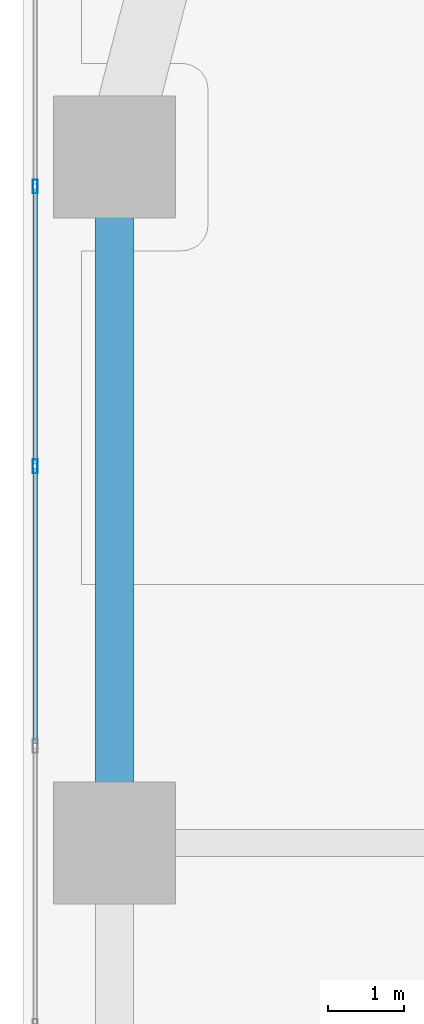
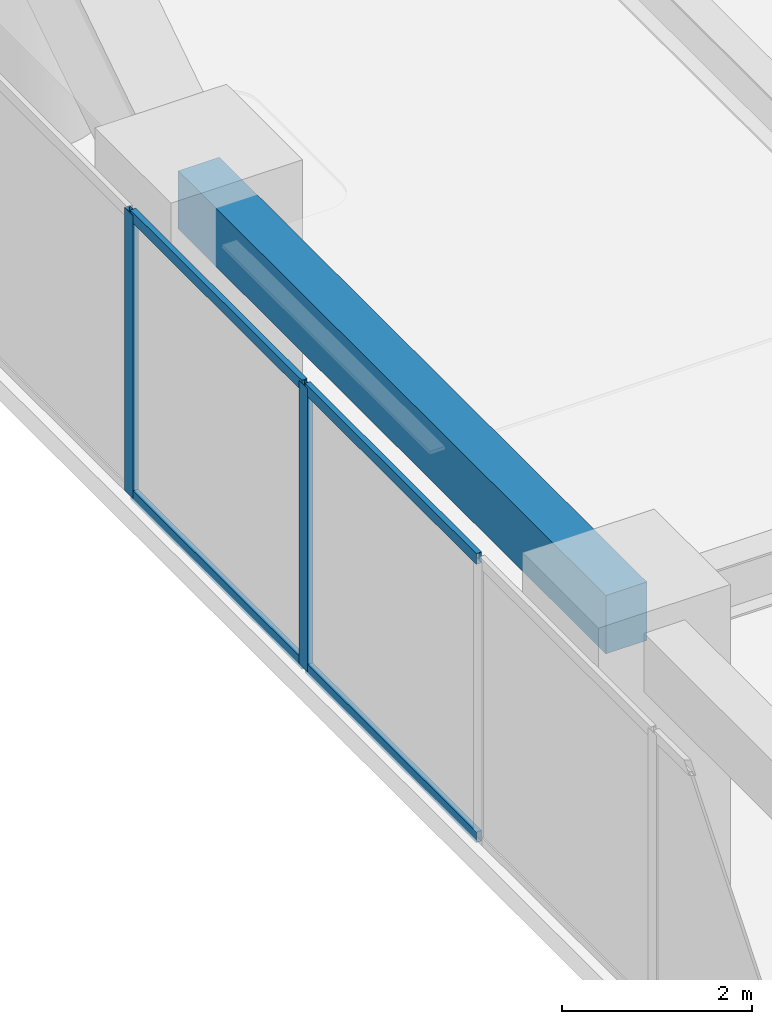
# One storey, part 12 of 28: 6 members, 1 beam, 1 element without a shape of its own.
"""IFC4 building model written with IfcOpenShell, lengths in metres."""

import ifcopenshell
import ifcopenshell.guid

model = None  # the IFC model being written
_history = None  # IfcOwnerHistory: only IFC2X3 demands one
_inside = {}  # id of a spatial element -> (the spatial element, [elements in it])
_under = {}  # id of a project, library or spatial element -> (it, [spatial elements below it])
_declared = {}  # id of a project -> (the project, [libraries it declares])
_typed = {}  # id of a type object -> (the type object, [elements of that type])
_made_of = {}  # id of a material, layer set ... -> (it, [elements and type objects made of it])


def new_model(schema):
    """Start an empty IFC model of exactly this schema.

    Asked for "IFC4X3", IfcOpenShell would pick the latest addendum, in which some entities
    have other attributes; the version numbers below select the first issue.
    IFC2X3 requires an IfcOwnerHistory on every rooted entity: one is made here for all.
    """
    global model, _history
    if schema == "IFC4X3":
        model = ifcopenshell.file(schema_version=(4, 3, 0, 0))
    else:
        model = ifcopenshell.file(schema=schema)
    _inside.clear()
    _under.clear()
    _declared.clear()
    _typed.clear()
    _made_of.clear()
    _history = None
    if model.schema == "IFC2X3":
        org = make("IfcOrganization", Name="unknown")
        user = make(
            "IfcPersonAndOrganization",
            ThePerson=make("IfcPerson", FamilyName="unknown"),
            TheOrganization=org,
        )
        app = make(
            "IfcApplication",
            ApplicationDeveloper=org,
            Version="unknown",
            ApplicationFullName="unknown",
            ApplicationIdentifier="unknown",
        )
        _history = make(
            "IfcOwnerHistory",
            OwningUser=user,
            OwningApplication=app,
            ChangeAction="ADDED",
            CreationDate=0,
        )
    return model


def make(cls, **values):
    """One entity of the class cls with the attributes given. An attribute that is None is left unset."""
    return model.create_entity(
        cls, **{name: value for name, value in values.items() if value is not None}
    )


def rooted(cls, **values):
    """An entity with a GlobalId (a new one), such as an element, a storey or a relation."""
    return make(cls, GlobalId=ifcopenshell.guid.new(), OwnerHistory=_history, **values)


def si_unit(unit_type, name, prefix=None):
    """IfcSIUnit, for example si_unit("LENGTHUNIT", "METRE", prefix="MILLI")."""
    return make("IfcSIUnit", UnitType=unit_type, Prefix=prefix, Name=name)


def assignment(units):
    """IfcUnitAssignment: the units of a project."""
    return None if units is None else make("IfcUnitAssignment", Units=units)


def point(xyz):
    """IfcCartesianPoint."""
    return None if xyz is None else make("IfcCartesianPoint", Coordinates=xyz)


def direction(xyz):
    """IfcDirection."""
    return None if xyz is None else make("IfcDirection", DirectionRatios=xyz)


def frame(location, z_axis=None, x_axis=None):
    """IfcAxis2Placement3D, a coordinate frame: its origin and axes. An axis left out is left unset."""
    return make(
        "IfcAxis2Placement3D",
        Location=point(location),
        Axis=direction(z_axis),
        RefDirection=direction(x_axis),
    )


def frame_2d(location, x_axis=None):
    """IfcAxis2Placement2D, a coordinate frame in the plane: its origin and x axis."""
    return make(
        "IfcAxis2Placement2D", Location=point(location), RefDirection=direction(x_axis)
    )


def origin():
    """The frame at (0, 0, 0) with its axes left unset."""
    return frame((0.0, 0.0, 0.0))


def origin_2d():
    """The frame at (0, 0) in the plane with its x axis left unset."""
    return frame_2d((0.0, 0.0))


def place(relative_to, where):
    """IfcLocalPlacement: puts the frame where relative to a parent placement (None: the world)."""
    return make(
        "IfcLocalPlacement", PlacementRelTo=relative_to, RelativePlacement=where
    )


def context(
    kind, dimensions, precision=None, world=None, true_north=None, identifier=None
):
    """IfcGeometricRepresentationContext, for example the 3D "Model" context."""
    return make(
        "IfcGeometricRepresentationContext",
        ContextIdentifier=identifier,
        ContextType=kind,
        CoordinateSpaceDimension=dimensions,
        Precision=precision,
        WorldCoordinateSystem=world,
        TrueNorth=true_north,
    )


def subcontext(parent, identifier, kind, view, scale=None):
    """IfcGeometricRepresentationSubContext, for example "Body" below "Model"."""
    return make(
        "IfcGeometricRepresentationSubContext",
        ContextIdentifier=identifier,
        ContextType=kind,
        ParentContext=parent,
        TargetScale=scale,
        TargetView=view,
    )


def project(units=None, contexts=None):
    """IfcProject with its units and contexts."""
    return rooted(
        "IfcProject",
        Name="project",
        RepresentationContexts=contexts,
        UnitsInContext=assignment(units),
    )


def spatial(cls, under=None, at=None, **own):
    """A site, building, storey or space (cls), placed at a placement, below another one or the project."""
    s = rooted(cls, ObjectPlacement=at, **own)
    if under is not None:
        _under.setdefault(under.id(), (under, []))[1].append(s)
    return s


def profile(cls, at=None, kind="AREA", **sizes):
    """A parametric profile (cls). Its sizes go by their IFC names, for example OverallWidth=200.0."""
    return make(cls, ProfileType=kind, Position=at, **sizes)


def rectangle(**sizes):
    """IfcRectangleProfileDef."""
    return profile("IfcRectangleProfileDef", **sizes)


def hollow_rectangle(**sizes):
    """IfcRectangleHollowProfileDef."""
    return profile("IfcRectangleHollowProfileDef", **sizes)


def extrude(swept, where, along, depth):
    """IfcExtrudedAreaSolid: the profile swept, set in the frame where, extruded along a direction by depth."""
    return make(
        "IfcExtrudedAreaSolid",
        SweptArea=swept,
        Position=where,
        ExtrudedDirection=direction(along),
        Depth=depth,
    )


def shape(context_of_items, identifier, shape_type, items):
    """IfcShapeRepresentation: the items that make up one representation, for example the "Body"."""
    return make(
        "IfcShapeRepresentation",
        ContextOfItems=context_of_items,
        RepresentationIdentifier=identifier,
        RepresentationType=shape_type,
        Items=items,
    )


def material(Name=None, Category=None):
    """IfcMaterial."""
    return make("IfcMaterial", Name=Name, Category=Category)


def layer(
    of_material, thickness, ventilated=None, Name=None, Category=None, Priority=None
):
    """IfcMaterialLayer: one layer of a wall or slab, of a material (None: an air gap)."""
    return make(
        "IfcMaterialLayer",
        Material=of_material,
        LayerThickness=thickness,
        IsVentilated=ventilated,
        Name=Name,
        Category=Category,
        Priority=Priority,
    )


def layer_set(layers, Name=None):
    """IfcMaterialLayerSet."""
    return make("IfcMaterialLayerSet", MaterialLayers=layers, LayerSetName=Name)


def material_profile(
    of_material, cross_section, Name=None, Category=None, Priority=None
):
    """IfcMaterialProfile: a cross section and its material."""
    return make(
        "IfcMaterialProfile",
        Name=Name,
        Material=of_material,
        Profile=cross_section,
        Priority=Priority,
        Category=Category,
    )


def profile_set(profiles, Name=None, composite=None):
    """IfcMaterialProfileSet."""
    return make(
        "IfcMaterialProfileSet",
        Name=Name,
        MaterialProfiles=profiles,
        CompositeProfile=composite,
    )


def made_of(thing, what):
    """Note that an element or type object is made of a material, layer set ...; save() writes the relation."""
    if what is not None:
        _made_of.setdefault(what.id(), (what, []))[1].append(thing)
    return thing


def type_object(cls, material=None, **own):
    """A type object (cls), such as IfcWallType, which elements share."""
    return made_of(rooted(cls, **own), material)


def element(
    cls,
    number,
    at=None,
    inside=None,
    cuts=None,
    type_object=None,
    material=None,
    context=None,
    identifier="Body",
    shape_type=None,
    held_by="IfcProductDefinitionShape",
    body=None,
    shapes=None,
    **own,
):
    """One element of the class cls, such as IfcWall. Its Tag is "e" and its number.

    at: its placement. inside: the storey or other place that contains it. cuts: it is an
    opening in that element (IfcRelVoidsElement). A single representation is given by context,
    identifier, shape_type and body (its items); several are given by shapes. held_by: the class
    of the entity that holds the representations. save() writes the other relations.
    """
    e = rooted(cls, Tag="e%d" % number, ObjectPlacement=at, **own)
    if body is not None:
        shapes = [shape(context, identifier, shape_type, body)]
    if shapes is not None:
        e.Representation = make(held_by, Representations=shapes)
    if inside is not None:
        _inside.setdefault(inside.id(), (inside, []))[1].append(e)
    if cuts is not None:
        rooted(
            "IfcRelVoidsElement", RelatingBuildingElement=cuts, RelatedOpeningElement=e
        )
    if type_object is not None:
        _typed.setdefault(type_object.id(), (type_object, []))[1].append(e)
    return made_of(e, material)


def aggregate(whole, parts):
    """IfcRelAggregates: a whole, such as a stair, and the parts it consists of."""
    return rooted("IfcRelAggregates", RelatingObject=whole, RelatedObjects=parts)


def save(model, path):
    """Write the relations noted so far, then the file.

    IfcRelAggregates (storeys below a building ...), IfcRelContainedInSpatialStructure (elements
    in a storey), IfcRelDefinesByType, IfcRelAssociatesMaterial and IfcRelDeclares: one each for
    every whole, place, type object, material and project.
    """
    for whole, parts in _under.values():
        aggregate(whole, parts)
    for where, things in _inside.values():
        rooted(
            "IfcRelContainedInSpatialStructure",
            RelatedElements=things,
            RelatingStructure=where,
        )
    for kind, things in _typed.values():
        rooted("IfcRelDefinesByType", RelatedObjects=things, RelatingType=kind)
    for what, things in _made_of.values():
        rooted("IfcRelAssociatesMaterial", RelatedObjects=things, RelatingMaterial=what)
    for by, libraries in _declared.values():
        rooted("IfcRelDeclares", RelatingContext=by, RelatedDefinitions=libraries)
    model.write(path)


model = new_model("IFC4")

# Units and contexts
model_context = context("Model", 3, precision=1e-05, world=origin(), true_north=direction((0.0, 1.0)))
body_context = subcontext(model_context, "Body", "Model", "MODEL_VIEW")
ifc_project = project(units=[si_unit("LENGTHUNIT", "METRE"), si_unit("AREAUNIT", "SQUARE_METRE"), si_unit("VOLUMEUNIT", "CUBIC_METRE"), si_unit("PLANEANGLEUNIT", "RADIAN"), si_unit("MASSUNIT", "GRAM", prefix="KILO")], contexts=[model_context])

# Site, building, storey
site_placement = place(None, origin())
site = spatial("IfcSite", under=ifc_project, at=site_placement, CompositionType="ELEMENT")
building_placement = place(site_placement, origin())
building = spatial("IfcBuilding", under=site, at=building_placement, Name="Kiyonajd Concourse Tower", CompositionType="ELEMENT")
storey_placement = place(building_placement, frame((0.0, 0.0, 56.699951171875)))
storey = spatial("IfcBuildingStorey", under=building, at=storey_placement, Name="L15", CompositionType="ELEMENT", Elevation=56.699951171875)

# Beam
ifc_material_1 = material(Name="Precast concrete C50/60", Category="concrete")
ifc_material_profile_1 = material_profile(ifc_material_1, rectangle(XDim=0.5, YDim=0.75, at=origin_2d()), Name="RCBM-500x750")
ifc_profile_set_1 = profile_set([ifc_material_profile_1], Name="Precast concrete C50/60")
beam_type = type_object("IfcBeamType", Name="BM-SPAN-RC", PredefinedType="SPANDREL", material=ifc_profile_set_1)
beam_placement = place(storey_placement, frame((19.199951171875, 53.39990234375, 3.26513671875), z_axis=(0.0, -1.0, 0.0), x_axis=(1.0, 0.0, 0.0)))
element("IfcBeam", 1, at=beam_placement, inside=storey, type_object=beam_type, Name="L15 Perimeter Bundled Tube Spandrel", PredefinedType="SPANDREL", context=body_context, shape_type="SweptSolid", body=[
    extrude(rectangle(XDim=0.5, YDim=0.75, at=origin_2d()), origin(), (0.0, 0.0, 1.0), 9.0),
])

# Curtain wall, members
ifc_material_2 = material(Name="Thermally Broken Anodised Aluminium", Category="aluminium")
ifc_layer = layer(ifc_material_2, 0.179931640625)
ifc_layer_set = layer_set([ifc_layer], Name="Thermally Broken Anodised Aluminium")
curtain_wall_type = type_object("IfcCurtainWallType", Name="CW-SYS-02", PredefinedType="NOTDEFINED", material=ifc_layer_set)
curtain_wall_placement = place(storey_placement, origin())
curtain_wall = element("IfcCurtainWall", 2, at=curtain_wall_placement, inside=storey, type_object=curtain_wall_type, Name="L15 Unitised Curtain Wall CW2", PredefinedType="NOTDEFINED")
ifc_material_profile_2 = material_profile(ifc_material_2, hollow_rectangle(XDim=0.06494140625, YDim=0.179931640625, WallThickness=0.00390625, at=origin_2d()), Name="MULL-65x180")
ifc_profile_set_2 = profile_set([ifc_material_profile_2], Name="Thermally Broken Anodised Aluminium")
member_type_1 = type_object("IfcMemberType", Name="MB-CW-MULL1", PredefinedType="MULLION", material=ifc_profile_set_2)
member_1_placement = place(storey_placement, frame((18.159912109375, 49.342529296875, 0.0), z_axis=(0.0, 0.0, 1.0), x_axis=(-1.0, 0.0, 0.0)))
member_1 = element("IfcMember", 3, at=member_1_placement, type_object=member_type_1, Name="CW2 mullion 5", PredefinedType="MULLION", context=body_context, shape_type="SweptSolid", body=[
    extrude(hollow_rectangle(XDim=0.06494140625, YDim=0.179931640625, WallThickness=0.00390625, at=origin_2d()), origin(), (0.0, 0.0, 1.0), 3.64013671875),
])
member_2_placement = place(storey_placement, frame((18.159912109375, 53.015869140625, 0.0), z_axis=(0.0, 0.0, 1.0), x_axis=(-1.0, 0.0, 0.0)))
member_2 = element("IfcMember", 4, at=member_2_placement, type_object=member_type_1, Name="CW2 mullion 6", PredefinedType="MULLION", context=body_context, shape_type="SweptSolid", body=[
    extrude(hollow_rectangle(XDim=0.06494140625, YDim=0.179931640625, WallThickness=0.00390625, at=origin_2d()), origin(), (0.0, 0.0, 1.0), 3.64013671875),
])
ifc_material_profile_3 = material_profile(ifc_material_2, hollow_rectangle(XDim=0.06494140625, YDim=0.139892578125, WallThickness=0.00390625, at=origin_2d()), Name="TRAN-65x140")
ifc_profile_set_3 = profile_set([ifc_material_profile_3], Name="Thermally Broken Anodised Aluminium")
member_type_2 = type_object("IfcMemberType", Name="MB-CW-TRAN1", PredefinedType="USERDEFINED", material=ifc_profile_set_3)
member_3_placement = place(storey_placement, frame((18.159912109375, 45.701904296875, 0.032470703125), z_axis=(0.0, 1.0, 0.0), x_axis=(-1.0, 0.0, 0.0)))
member_3 = element("IfcMember", 5, at=member_3_placement, type_object=member_type_2, Name="CW2 transom 4.1", ObjectType="TRANSOM", PredefinedType="USERDEFINED", context=body_context, shape_type="SweptSolid", body=[
    extrude(hollow_rectangle(XDim=0.06494140625, YDim=0.139892578125, WallThickness=0.00390625, at=origin_2d()), origin(), (0.0, 0.0, 1.0), 3.608154296875),
])
member_4_placement = place(storey_placement, frame((18.159912109375, 45.701904296875, 3.607666015625), z_axis=(0.0, 1.0, 0.0), x_axis=(-1.0, 0.0, 0.0)))
member_4 = element("IfcMember", 6, at=member_4_placement, type_object=member_type_2, Name="CW2 transom 4.2", ObjectType="TRANSOM", PredefinedType="USERDEFINED", context=body_context, shape_type="SweptSolid", body=[
    extrude(hollow_rectangle(XDim=0.06494140625, YDim=0.139892578125, WallThickness=0.00390625, at=origin_2d()), origin(), (0.0, 0.0, 1.0), 3.608154296875),
])
member_5_placement = place(storey_placement, frame((18.159912109375, 49.375, 0.032470703125), z_axis=(0.0, 1.0, 0.0), x_axis=(-1.0, 0.0, 0.0)))
member_5 = element("IfcMember", 7, at=member_5_placement, type_object=member_type_2, Name="CW2 transom 5.1", ObjectType="TRANSOM", PredefinedType="USERDEFINED", context=body_context, shape_type="SweptSolid", body=[
    extrude(hollow_rectangle(XDim=0.06494140625, YDim=0.139892578125, WallThickness=0.00390625, at=origin_2d()), origin(), (0.0, 0.0, 1.0), 3.608154296875),
])
member_6_placement = place(storey_placement, frame((18.159912109375, 49.375, 3.607666015625), z_axis=(0.0, 1.0, 0.0), x_axis=(-1.0, 0.0, 0.0)))
member_6 = element("IfcMember", 8, at=member_6_placement, type_object=member_type_2, Name="CW2 transom 5.2", ObjectType="TRANSOM", PredefinedType="USERDEFINED", context=body_context, shape_type="SweptSolid", body=[
    extrude(hollow_rectangle(XDim=0.06494140625, YDim=0.139892578125, WallThickness=0.00390625, at=origin_2d()), origin(), (0.0, 0.0, 1.0), 3.608154296875),
])
aggregate(curtain_wall, [member_1, member_2, member_3, member_4, member_5, member_6])

save(model, "model.ifc")
